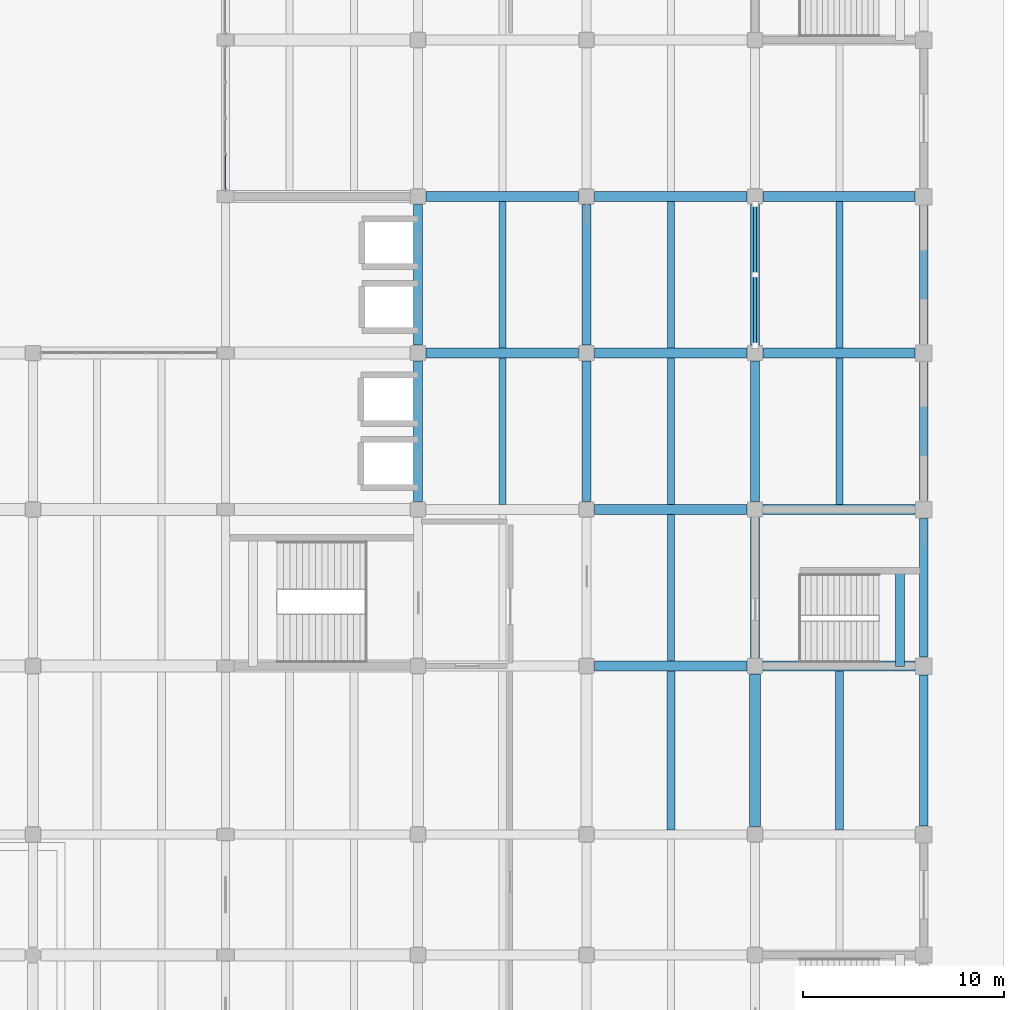
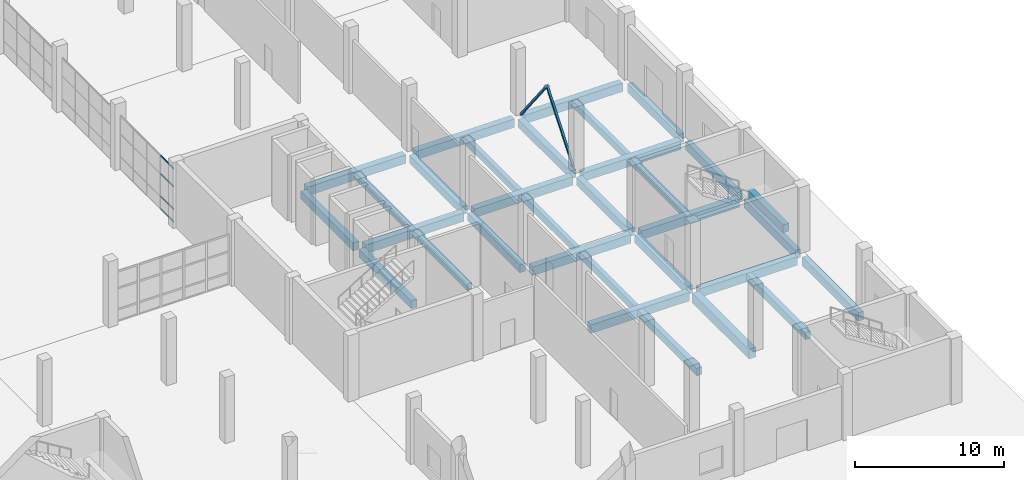
# One storey, part 36 of 78: 32 beams, 6 members, 1 element without a shape of its own.
"""IFC4 building model written with IfcOpenShell, lengths in metres."""

from ifc_helpers import new_model, si_unit, direction, frame, origin, origin_2d, place, context, subcontext, project, spatial, rectangle, hollow_rectangle, extrude, material, material_profile, profile_set, type_object, element, aggregate, save


model = new_model("IFC4")

# Units and contexts
model_context = context("Model", 3, precision=1e-05, world=origin(), true_north=direction((0.0, 1.0)))
body_context = subcontext(model_context, "Body", "Model", "MODEL_VIEW")
ifc_project = project(units=[si_unit("LENGTHUNIT", "METRE"), si_unit("AREAUNIT", "SQUARE_METRE"), si_unit("VOLUMEUNIT", "CUBIC_METRE"), si_unit("PLANEANGLEUNIT", "RADIAN"), si_unit("MASSUNIT", "GRAM", prefix="KILO")], contexts=[model_context])

# Site, building, storey
site_placement = place(None, origin())
site = spatial("IfcSite", under=ifc_project, at=site_placement, CompositionType="ELEMENT")
building_placement = place(site_placement, origin())
building = spatial("IfcBuilding", under=site, at=building_placement, Name="Pellamere Symphony Hall", CompositionType="ELEMENT")
storey_placement = place(building_placement, origin())
storey = spatial("IfcBuildingStorey", under=building, at=storey_placement, Name="L00", CompositionType="ELEMENT", Elevation=0.0)

# Curtain wall, members
ifc_material_1 = material(Name="Thermally Broken Anodised Aluminium 6063-T6 Curtain Wall", Category="aluminium")
curtain_wall_type = type_object("IfcCurtainWallType", Name="Curtain Wall CW-05 (Artists Wing North Studio Ribbon Curtain Wall)", PredefinedType="NOTDEFINED", material=ifc_material_1)
curtain_wall_placement = place(storey_placement, origin())
curtain_wall = element("IfcCurtainWall", 1, at=curtain_wall_placement, inside=storey, type_object=curtain_wall_type, Name="Sculpture Court East Wing Curtain Wall (L00 Bay 1)", PredefinedType="NOTDEFINED")
ifc_material_2 = material(Name="Anodised Architectural Aluminium 6063-T6", Category="aluminium")
ifc_material_profile_1 = material_profile(ifc_material_2, hollow_rectangle(XDim=0.06005859375, YDim=0.1201171875, WallThickness=0.00390625, at=origin_2d()), Name="ALU-T60X120X4")
ifc_profile_set_1 = profile_set([ifc_material_profile_1], Name="Anodised Architectural Aluminium 6063-T6")
member_type_1 = type_object("IfcMemberType", Name="Curtain Wall Transom TR-03 ALU-T60X120X4", PredefinedType="USERDEFINED", material=ifc_profile_set_1)
member_1_placement = place(storey_placement, frame((138.0, 62.159912109375, 0.030029296875), z_axis=(0.0, 1.0, 0.0), x_axis=(-1.0, 0.0, 0.0)))
member_1 = element("IfcMember", 2, at=member_1_placement, type_object=member_type_1, Name="CW5-126 crystal transom 1.1", ObjectType="TRANSOM", PredefinedType="USERDEFINED", context=body_context, shape_type="SweptSolid", body=[
    extrude(hollow_rectangle(XDim=0.06005859375, YDim=0.1201171875, WallThickness=0.00390625, at=origin_2d()), origin(), (0.0, 0.0, 1.0), 1.710205078125),
])
member_2_placement = place(storey_placement, frame((138.0, 62.159912109375, 1.055908203125), z_axis=(0.0, 1.0, 0.0), x_axis=(-1.0, 0.0, 0.0)))
member_2 = element("IfcMember", 3, at=member_2_placement, type_object=member_type_1, Name="CW5-126 crystal transom 1.2", ObjectType="TRANSOM", PredefinedType="USERDEFINED", context=body_context, shape_type="SweptSolid", body=[
    extrude(hollow_rectangle(XDim=0.06005859375, YDim=0.1201171875, WallThickness=0.00390625, at=origin_2d()), origin(), (0.0, 0.0, 1.0), 1.710205078125),
])
member_3_placement = place(storey_placement, frame((138.0, 62.159912109375, 2.904052734375), z_axis=(0.0, 1.0, 0.0), x_axis=(-1.0, 0.0, 0.0)))
member_3 = element("IfcMember", 4, at=member_3_placement, type_object=member_type_1, Name="CW5-126 crystal transom 1.3", ObjectType="TRANSOM", PredefinedType="USERDEFINED", context=body_context, shape_type="SweptSolid", body=[
    extrude(hollow_rectangle(XDim=0.06005859375, YDim=0.1201171875, WallThickness=0.00390625, at=origin_2d()), origin(), (0.0, 0.0, 1.0), 1.710205078125),
])
member_4_placement = place(storey_placement, frame((138.0, 62.159912109375, 4.3701171875), z_axis=(0.0, 1.0, 0.0), x_axis=(-1.0, 0.0, 0.0)))
member_4 = element("IfcMember", 5, at=member_4_placement, type_object=member_type_1, Name="CW5-126 crystal transom 1.4", ObjectType="TRANSOM", PredefinedType="USERDEFINED", context=body_context, shape_type="SweptSolid", body=[
    extrude(hollow_rectangle(XDim=0.06005859375, YDim=0.1201171875, WallThickness=0.00390625, at=origin_2d()), origin(), (0.0, 0.0, 1.0), 1.710205078125),
])
aggregate(curtain_wall, [member_1, member_2, member_3, member_4])

# Beams
ifc_material_3 = material(Name="Concrete 40 MPa", Category="concrete")
ifc_material_profile_2 = material_profile(ifc_material_3, rectangle(XDim=0.550048828125, YDim=0.800048828125, at=origin_2d()), Name="RC 550x800")
ifc_profile_set_2 = profile_set([ifc_material_profile_2], Name="Concrete 40 MPa")
beam_type_1 = type_object("IfcBeamType", Name="RC CB-05 550x800", PredefinedType="BEAM", material=ifc_profile_set_2)
beam_1_placement = place(storey_placement, frame((164.39990234375, 30.39990234375, -0.699951171875), z_axis=(0.0, 1.0, 0.0), x_axis=(-1.0, 0.0, 0.0)))
element("IfcBeam", 6, at=beam_1_placement, inside=storey, type_object=beam_type_1, Name="Girder CB-05-Y0370 (L00)", PredefinedType="BEAM", context=body_context, shape_type="SweptSolid", body=[
    extrude(rectangle(XDim=0.550048828125, YDim=0.800048828125, at=origin_2d()), origin(), (0.0, 0.0, 1.0), 7.60009765625),
])
ifc_material_profile_3 = material_profile(ifc_material_3, rectangle(XDim=0.5, YDim=0.699951171875, at=origin_2d()), Name="RC 500x700")
ifc_profile_set_3 = profile_set([ifc_material_profile_3], Name="Concrete 40 MPa")
beam_type_2 = type_object("IfcBeamType", Name="RC CB-07 500x700", PredefinedType="BEAM", material=ifc_profile_set_3)
beam_2_placement = place(storey_placement, frame((156.39990234375, 38.39990234375, -0.64990234375), z_axis=(1.0, 0.0, 0.0), x_axis=(0.0, 1.0, 0.0)))
element("IfcBeam", 7, at=beam_2_placement, inside=storey, type_object=beam_type_2, Name="Girder CB-07-X0087 (L00)", PredefinedType="BEAM", context=body_context, shape_type="SweptSolid", body=[
    extrude(rectangle(XDim=0.5, YDim=0.699951171875, at=origin_2d()), origin(), (0.0, 0.0, 1.0), 7.60009765625),
])
beam_3_placement = place(storey_placement, frame((164.800048828125, 38.39990234375, -0.64990234375), z_axis=(1.0, 0.0, 0.0), x_axis=(0.0, 1.0, 0.0)))
element("IfcBeam", 8, at=beam_3_placement, inside=storey, type_object=beam_type_2, Name="Girder CB-07-X0088 (L00)", PredefinedType="BEAM", context=body_context, shape_type="SweptSolid", body=[
    extrude(rectangle(XDim=0.5, YDim=0.699951171875, at=origin_2d()), origin(), (0.0, 0.0, 1.0), 7.56005859375),
])
beam_4_placement = place(storey_placement, frame((156.39990234375, 46.199951171875, -0.64990234375), z_axis=(1.0, 0.0, 0.0), x_axis=(0.0, 1.0, 0.0)))
element("IfcBeam", 9, at=beam_4_placement, inside=storey, type_object=beam_type_2, Name="Girder CB-07-X0108 (L00)", PredefinedType="BEAM", context=body_context, shape_type="SweptSolid", body=[
    extrude(rectangle(XDim=0.5, YDim=0.699951171875, at=origin_2d()), origin(), (0.0, 0.0, 1.0), 7.60009765625),
])
beam_5_placement = place(storey_placement, frame((164.800048828125, 46.199951171875, -0.64990234375), z_axis=(1.0, 0.0, 0.0), x_axis=(0.0, 1.0, 0.0)))
element("IfcBeam", 10, at=beam_5_placement, inside=storey, type_object=beam_type_2, Name="Girder CB-07-X0109 (L00)", PredefinedType="BEAM", context=body_context, shape_type="SweptSolid", body=[
    extrude(rectangle(XDim=0.5, YDim=0.699951171875, at=origin_2d()), origin(), (0.0, 0.0, 1.0), 7.56005859375),
])
for number, where, z_axis, x_axis, name in (
    (11, (148.0, 54.0, -0.64990234375), (1.0, 0.0, 0.0), (0.0, 1.0, 0.0), "Girder CB-07-X0121 (L00)"),
    (12, (156.39990234375, 54.0, -0.64990234375), (1.0, 0.0, 0.0), (0.0, 1.0, 0.0), "Girder CB-07-X0122 (L00)"),
):
    element("IfcBeam", number, at=place(storey_placement, frame(where, z_axis=z_axis, x_axis=x_axis)), inside=storey, type_object=beam_type_2, Name=name, PredefinedType="BEAM", context=body_context, shape_type="SweptSolid", body=[
        extrude(rectangle(XDim=0.5, YDim=0.699951171875, at=origin_2d()), origin(), (0.0, 0.0, 1.0), 7.60009765625),
    ])
beam_6_placement = place(storey_placement, frame((164.800048828125, 54.0, -0.64990234375), z_axis=(1.0, 0.0, 0.0), x_axis=(0.0, 1.0, 0.0)))
element("IfcBeam", 13, at=beam_6_placement, inside=storey, type_object=beam_type_2, Name="Girder CB-07-X0123 (L00)", PredefinedType="BEAM", context=body_context, shape_type="SweptSolid", body=[
    extrude(rectangle(XDim=0.5, YDim=0.699951171875, at=origin_2d()), origin(), (0.0, 0.0, 1.0), 7.56005859375),
])
for number, where, z_axis, x_axis, name in (
    (14, (148.0, 61.800048828125, -0.64990234375), (1.0, 0.0, 0.0), (0.0, 1.0, 0.0), "Girder CB-07-X0127 (L00)"),
    (15, (156.39990234375, 61.800048828125, -0.64990234375), (1.0, 0.0, 0.0), (0.0, 1.0, 0.0), "Girder CB-07-X0128 (L00)"),
):
    element("IfcBeam", number, at=place(storey_placement, frame(where, z_axis=z_axis, x_axis=x_axis)), inside=storey, type_object=beam_type_2, Name=name, PredefinedType="BEAM", context=body_context, shape_type="SweptSolid", body=[
        extrude(rectangle(XDim=0.5, YDim=0.699951171875, at=origin_2d()), origin(), (0.0, 0.0, 1.0), 7.60009765625),
    ])
beam_7_placement = place(storey_placement, frame((164.800048828125, 61.800048828125, -0.64990234375), z_axis=(1.0, 0.0, 0.0), x_axis=(0.0, 1.0, 0.0)))
element("IfcBeam", 16, at=beam_7_placement, inside=storey, type_object=beam_type_2, Name="Girder CB-07-X0129 (L00)", PredefinedType="BEAM", context=body_context, shape_type="SweptSolid", body=[
    extrude(rectangle(XDim=0.5, YDim=0.699951171875, at=origin_2d()), origin(), (0.0, 0.0, 1.0), 7.56005859375),
])
ifc_material_profile_4 = material_profile(ifc_material_3, rectangle(XDim=0.449951171875, YDim=0.64990234375, at=origin_2d()), Name="RC 450x650")
ifc_profile_set_4 = profile_set([ifc_material_profile_4], Name="Concrete 40 MPa")
beam_type_3 = type_object("IfcBeamType", Name="RC CB-08 450x650", PredefinedType="BEAM", material=ifc_profile_set_4)
for number, where, z_axis, x_axis, name in (
    (17, (147.60009765625, 46.60009765625, -0.625), (0.0, 1.0, 0.0), (-1.0, 0.0, 0.0), "Girder CB-08-Y0350 (L00)"),
    (18, (147.60009765625, 54.39990234375, -0.625), (0.0, 1.0, 0.0), (-1.0, 0.0, 0.0), "Girder CB-08-Y0351 (L00)"),
    (19, (156.0, 46.60009765625, -0.625), (0.0, 1.0, 0.0), (-1.0, 0.0, 0.0), "Girder CB-08-Y0361 (L00)"),
    (20, (156.0, 54.39990234375, -0.625), (0.0, 1.0, 0.0), (-1.0, 0.0, 0.0), "Girder CB-08-Y0362 (L00)"),
    (21, (164.39990234375, 38.800048828125, -0.625), (0.0, 1.0, 0.0), (-1.0, 0.0, 0.0), "Girder CB-08-Y0371 (L00)"),
    (22, (164.39990234375, 46.60009765625, -0.625), (0.0, 1.0, 0.0), (-1.0, 0.0, 0.0), "Girder CB-08-Y0372 (L00)"),
    (23, (164.39990234375, 54.39990234375, -0.625), (0.0, 1.0, 0.0), (-1.0, 0.0, 0.0), "Girder CB-08-Y0373 (L00)"),
):
    element("IfcBeam", number, at=place(storey_placement, frame(where, z_axis=z_axis, x_axis=x_axis)), inside=storey, type_object=beam_type_3, Name=name, PredefinedType="BEAM", context=body_context, shape_type="SweptSolid", body=[
        extrude(rectangle(XDim=0.449951171875, YDim=0.64990234375, at=origin_2d()), origin(), (0.0, 0.0, 1.0), 7.0),
    ])
beam_8_placement = place(storey_placement, frame((171.607421875, 38.3798828125, 2.155029296875), z_axis=(0.0, 1.0, 0.0), x_axis=(-1.0, 0.0, 0.0)))
element("IfcBeam", 24, at=beam_8_placement, inside=storey, type_object=beam_type_3, Name="Stair ST06-L00 Half Landing Support Beam (L00)", PredefinedType="BEAM", context=body_context, shape_type="SweptSolid", body=[
    extrude(rectangle(XDim=0.449951171875, YDim=0.64990234375, at=origin_2d()), origin(), (0.0, 0.0, 1.0), 4.780029296875),
])
ifc_material_profile_5 = material_profile(ifc_material_3, rectangle(XDim=0.39990234375, YDim=0.60009765625, at=origin_2d()), Name="RC 400x600")
ifc_profile_set_5 = profile_set([ifc_material_profile_5], Name="Concrete 40 MPa")
beam_type_4 = type_object("IfcBeamType", Name="RC CB-09 400x600", PredefinedType="BEAM", material=ifc_profile_set_5)
for number, where, z_axis, x_axis, name in (
    (25, (160.199951171875, 30.22509765625, -0.614990234375), (0.0, 1.0, 0.0), (-1.0, 0.0, 0.0), "Secondary Floor Beam CB-09-M1904 (L00)"),
    (26, (168.60009765625, 30.22509765625, -0.614990234375), (0.0, 1.0, 0.0), (-1.0, 0.0, 0.0), "Secondary Floor Beam CB-09-M2004 (L00)"),
):
    element("IfcBeam", number, at=place(storey_placement, frame(where, z_axis=z_axis, x_axis=x_axis)), inside=storey, type_object=beam_type_4, Name=name, PredefinedType="BEAM", context=body_context, shape_type="SweptSolid", body=[
        extrude(rectangle(XDim=0.39990234375, YDim=0.60009765625, at=origin_2d()), origin(), (0.0, 0.0, 1.0), 7.9248046875),
    ])
ifc_material_4 = material(Name="Concrete 35 MPa", Category="concrete")
ifc_material_profile_6 = material_profile(ifc_material_4, rectangle(XDim=0.35009765625, YDim=0.550048828125, at=origin_2d()), Name="RC 350x550")
ifc_profile_set_6 = profile_set([ifc_material_profile_6], Name="Concrete 35 MPa")
beam_type_5 = type_object("IfcBeamType", Name="RC CB-10 350x550", PredefinedType="BEAM", material=ifc_profile_set_6)
for number, where, z_axis, x_axis, name in (
    (27, (151.800048828125, 46.449951171875, -0.590087890625), (0.0, 1.0, 0.0), (-1.0, 0.0, 0.0), "Secondary Floor Beam CB-10-M1806 (L00)"),
    (28, (151.800048828125, 54.25, -0.590087890625), (0.0, 1.0, 0.0), (-1.0, 0.0, 0.0), "Secondary Floor Beam CB-10-M1807 (L00)"),
    (29, (160.199951171875, 38.64990234375, -0.590087890625), (0.0, 1.0, 0.0), (-1.0, 0.0, 0.0), "Secondary Floor Beam CB-10-M1905 (L00)"),
    (30, (160.199951171875, 46.449951171875, -0.590087890625), (0.0, 1.0, 0.0), (-1.0, 0.0, 0.0), "Secondary Floor Beam CB-10-M1906 (L00)"),
    (31, (160.199951171875, 54.25, -0.590087890625), (0.0, 1.0, 0.0), (-1.0, 0.0, 0.0), "Secondary Floor Beam CB-10-M1907 (L00)"),
    (32, (168.60009765625, 46.449951171875, -0.590087890625), (0.0, 1.0, 0.0), (-1.0, 0.0, 0.0), "Secondary Floor Beam CB-10-M2006 (L00)"),
    (33, (168.60009765625, 54.25, -0.590087890625), (0.0, 1.0, 0.0), (-1.0, 0.0, 0.0), "Secondary Floor Beam CB-10-M2007 (L00)"),
):
    element("IfcBeam", number, at=place(storey_placement, frame(where, z_axis=z_axis, x_axis=x_axis)), inside=storey, type_object=beam_type_5, Name=name, PredefinedType="BEAM", context=body_context, shape_type="SweptSolid", body=[
        extrude(rectangle(XDim=0.35009765625, YDim=0.550048828125, at=origin_2d()), origin(), (0.0, 0.0, 1.0), 7.300048828125),
    ])
ifc_material_profile_7 = material_profile(ifc_material_3, rectangle(XDim=0.39990234375, YDim=0.699951171875, at=origin_2d()), Name="RC 400x700")
ifc_profile_set_7 = profile_set([ifc_material_profile_7], Name="Concrete 40 MPa")
beam_type_6 = type_object("IfcBeamType", Name="RC CB-13 400x700", PredefinedType="SPANDREL", material=ifc_profile_set_7)
beam_9_placement = place(storey_placement, frame((172.800048828125, 30.43994140625, -0.64990234375), z_axis=(0.0, 1.0, 0.0), x_axis=(-1.0, 0.0, 0.0)))
element("IfcBeam", 34, at=beam_9_placement, inside=storey, type_object=beam_type_6, Name="Girder CB-13-Y0381 (L00)", PredefinedType="SPANDREL", context=body_context, shape_type="SweptSolid", body=[
    extrude(rectangle(XDim=0.39990234375, YDim=0.699951171875, at=origin_2d()), origin(), (0.0, 0.0, 1.0), 7.52001953125),
])
beam_10_placement = place(storey_placement, frame((172.800048828125, 38.840087890625, -0.64990234375), z_axis=(0.0, 1.0, 0.0), x_axis=(-1.0, 0.0, 0.0)))
element("IfcBeam", 35, at=beam_10_placement, inside=storey, type_object=beam_type_6, Name="Girder CB-13-Y0382 (L00)", PredefinedType="SPANDREL", context=body_context, shape_type="SweptSolid", body=[
    extrude(rectangle(XDim=0.39990234375, YDim=0.699951171875, at=origin_2d()), origin(), (0.0, 0.0, 1.0), 6.919921875),
])
for number, where, z_axis, x_axis, name in (
    (36, (172.800048828125, 46.639892578125, -0.64990234375), (0.0, 1.0, 0.0), (-1.0, 0.0, 0.0), "Girder CB-13-Y0383 (L00)"),
    (37, (172.800048828125, 54.43994140625, -0.64990234375), (0.0, 1.0, 0.0), (-1.0, 0.0, 0.0), "Girder CB-13-Y0384 (L00)"),
):
    element("IfcBeam", number, at=place(storey_placement, frame(where, z_axis=z_axis, x_axis=x_axis)), inside=storey, type_object=beam_type_6, Name=name, PredefinedType="SPANDREL", context=body_context, shape_type="SweptSolid", body=[
        extrude(rectangle(XDim=0.39990234375, YDim=0.699951171875, at=origin_2d()), origin(), (0.0, 0.0, 1.0), 6.920166015625),
    ])

# Members
ifc_material_5 = material(Name="Steel CSA G40.21 350W", Category="steel")
ifc_material_profile_8 = material_profile(ifc_material_5, hollow_rectangle(XDim=0.15234375, YDim=0.15234375, WallThickness=0.009521484375, at=origin_2d()), Name="HSS152X152X10")
ifc_profile_set_8 = profile_set([ifc_material_profile_8], Name="Steel CSA G40.21 350W")
member_type_2 = type_object("IfcMemberType", Name="Steel Member SM-06 HSS152X152X10", PredefinedType="BRACE", material=ifc_profile_set_8)
for number, where, z_axis, x_axis, name in (
    (38, (164.39990234375, 54.375, 0.0), (0.0, 0.619208951594, 0.785226256735), (-1.0, 0.0, 0.0), "Interior Frame Chevron Brace 02A (L00)"),
    (39, (164.39990234375, 61.425048828125, 0.0), (0.0, -0.619235394094, 0.785205404147), (1.0, 0.0, 0.0), "Interior Frame Chevron Brace 02B (L00)"),
):
    element("IfcMember", number, at=place(storey_placement, frame(where, z_axis=z_axis, x_axis=x_axis)), inside=storey, type_object=member_type_2, Name=name, PredefinedType="BRACE", context=body_context, shape_type="SweptSolid", body=[
        extrude(hollow_rectangle(XDim=0.15234375, YDim=0.15234375, WallThickness=0.009521484375, at=origin_2d()), origin(), (0.0, 0.0, 1.0), 5.692626953125),
    ])

save(model, "model.ifc")
